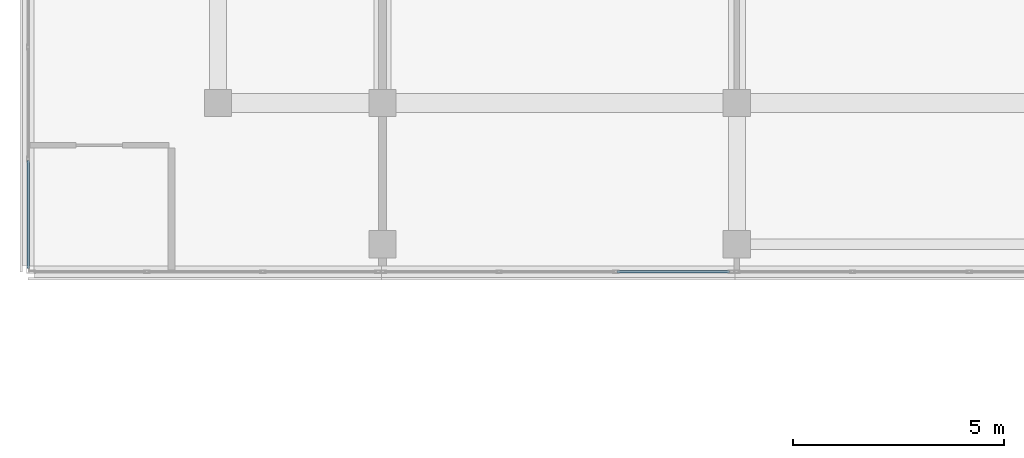
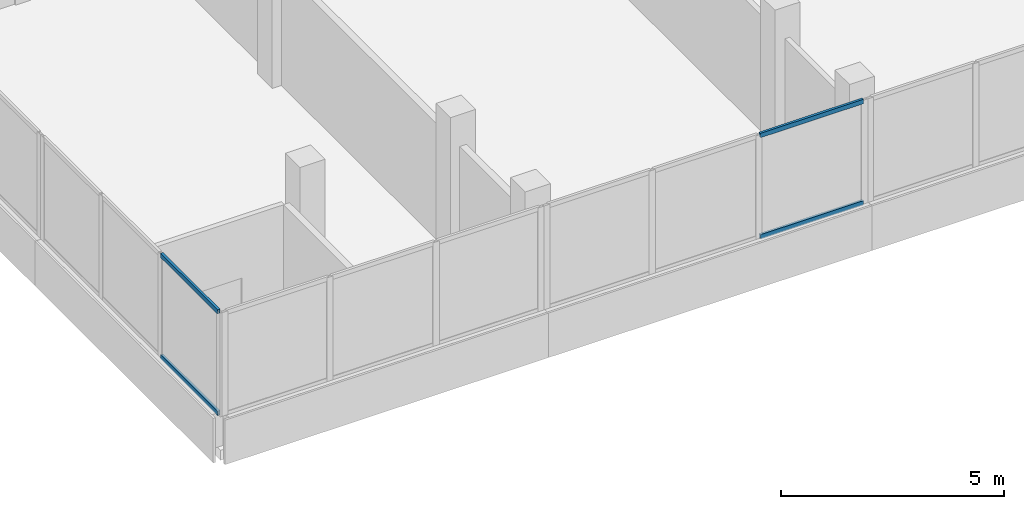
# One storey, part 3 of 76: 4 members, 2 elements without a shape of their own.
"""IFC4 building model written with IfcOpenShell, lengths in metres."""

from ifc_helpers import new_model, si_unit, direction, frame, origin, origin_2d, place, context, subcontext, project, spatial, hollow_rectangle, extrude, material, material_profile, profile_set, type_object, element, aggregate, save


model = new_model("IFC4")

# Units and contexts
model_context = context("Model", 3, precision=1e-05, world=origin(), true_north=direction((0.0, 1.0)))
body_context = subcontext(model_context, "Body", "Model", "MODEL_VIEW")
ifc_project = project(units=[si_unit("LENGTHUNIT", "METRE"), si_unit("AREAUNIT", "SQUARE_METRE"), si_unit("VOLUMEUNIT", "CUBIC_METRE"), si_unit("PLANEANGLEUNIT", "RADIAN"), si_unit("MASSUNIT", "GRAM", prefix="KILO")], contexts=[model_context])

# Site, building, storey
site_placement = place(None, origin())
site = spatial("IfcSite", under=ifc_project, at=site_placement, CompositionType="ELEMENT")
building_placement = place(site_placement, origin())
building = spatial("IfcBuilding", under=site, at=building_placement, Name="Selatvlak General Hospital", CompositionType="ELEMENT")
storey_placement = place(building_placement, frame((0.0, 0.0, 27.300048828125)))
storey = spatial("IfcBuildingStorey", under=building, at=storey_placement, Name="L06", CompositionType="ELEMENT", Elevation=27.300048828125)

# Curtain wall, members
ifc_material_1 = material(Name="Solar-control Low-E double glazing", Category="glass")
curtain_wall_type_1 = type_object("IfcCurtainWallType", Name="CW-CW-02", PredefinedType="USERDEFINED", material=ifc_material_1)
curtain_wall_1_placement = place(storey_placement, origin())
curtain_wall_1 = element("IfcCurtainWall", 1, at=curtain_wall_1_placement, inside=storey, type_object=curtain_wall_type_1, Name="Glazed facade curtain wall CW-L06-0594", ObjectType="UNITISED CURTAIN WALL", PredefinedType="USERDEFINED")
ifc_material_2 = material(Name="Dark anodised aluminium mullion", Category="aluminium")
ifc_material_profile = material_profile(ifc_material_2, hollow_rectangle(XDim=0.06494140625, YDim=0.1201171875, WallThickness=0.00390625, at=origin_2d()), Name="AL-TRN 65x120x4")
ifc_profile_set = profile_set([ifc_material_profile], Name="Dark anodised aluminium mullion")
member_type = type_object("IfcMemberType", Name="CWT-01", PredefinedType="USERDEFINED", material=ifc_profile_set)
member_1_placement = place(storey_placement, frame((22.800048828125, 88.080078125, 0.972412109375), z_axis=(0.0, 1.0, 0.0), x_axis=(-1.0, 0.0, 0.0)))
member_1 = element("IfcMember", 2, at=member_1_placement, type_object=member_type, Name="CW-02 transom 1.1", ObjectType="TRANSOM", PredefinedType="USERDEFINED", context=body_context, shape_type="SweptSolid", body=[
    extrude(hollow_rectangle(XDim=0.06494140625, YDim=0.1201171875, WallThickness=0.00390625, at=origin_2d()), origin(), (0.0, 0.0, 1.0), 2.55908203125),
])
member_2_placement = place(storey_placement, frame((22.800048828125, 88.080078125, 3.74755859375), z_axis=(0.0, 1.0, 0.0), x_axis=(-1.0, 0.0, 0.0)))
member_2 = element("IfcMember", 3, at=member_2_placement, type_object=member_type, Name="CW-02 transom 1.2", ObjectType="TRANSOM", PredefinedType="USERDEFINED", context=body_context, shape_type="SweptSolid", body=[
    extrude(hollow_rectangle(XDim=0.06494140625, YDim=0.1201171875, WallThickness=0.00390625, at=origin_2d()), origin(), (0.0, 0.0, 1.0), 2.55908203125),
])
aggregate(curtain_wall_1, [member_1, member_2])

curtain_wall_type_2 = type_object("IfcCurtainWallType", Name="CW-CW-01", PredefinedType="USERDEFINED", material=ifc_material_1)
curtain_wall_2_placement = place(storey_placement, origin())
curtain_wall_2 = element("IfcCurtainWall", 4, at=curtain_wall_2_placement, inside=storey, type_object=curtain_wall_type_2, Name="Glazed facade curtain wall CW-L06-0637", ObjectType="UNITISED CURTAIN WALL", PredefinedType="USERDEFINED")
member_3_placement = place(storey_placement, frame((39.427978515625, 88.0, 0.972412109375), z_axis=(-1.0, 0.0, 0.0), x_axis=(0.0, -1.0, 0.0)))
member_3 = element("IfcMember", 5, at=member_3_placement, type_object=member_type, Name="CW-01 transom 1.1", ObjectType="TRANSOM", PredefinedType="USERDEFINED", context=body_context, shape_type="SweptSolid", body=[
    extrude(hollow_rectangle(XDim=0.06494140625, YDim=0.1201171875, WallThickness=0.00390625, at=origin_2d()), origin(), (0.0, 0.0, 1.0), 2.668701171875),
])
member_4_placement = place(storey_placement, frame((39.427978515625, 88.0, 3.74755859375), z_axis=(-1.0, 0.0, 0.0), x_axis=(0.0, -1.0, 0.0)))
member_4 = element("IfcMember", 6, at=member_4_placement, type_object=member_type, Name="CW-01 transom 1.2", ObjectType="TRANSOM", PredefinedType="USERDEFINED", context=body_context, shape_type="SweptSolid", body=[
    extrude(hollow_rectangle(XDim=0.06494140625, YDim=0.1201171875, WallThickness=0.00390625, at=origin_2d()), origin(), (0.0, 0.0, 1.0), 2.668701171875),
])
aggregate(curtain_wall_2, [member_3, member_4])

save(model, "model.ifc")
